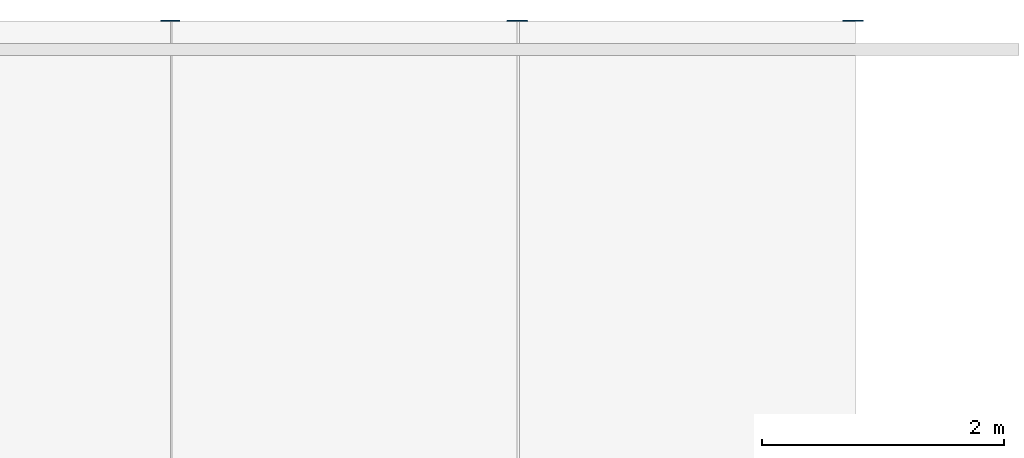
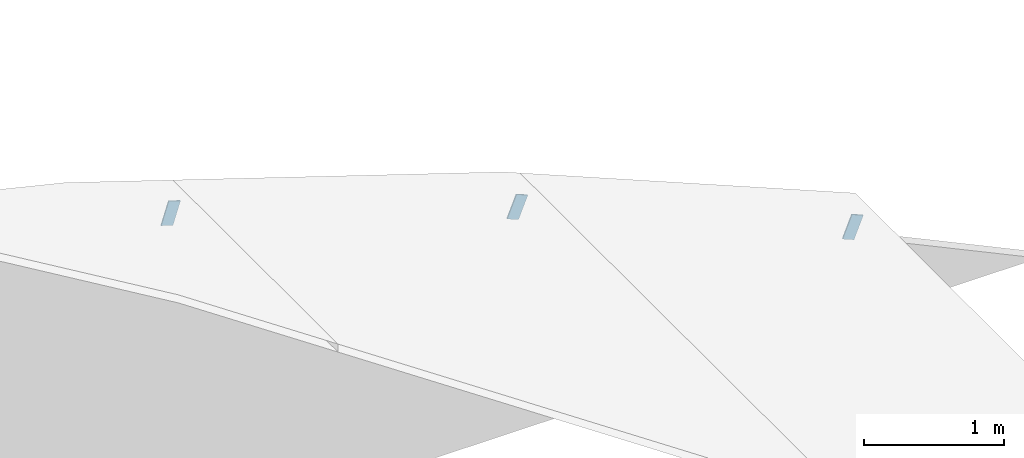
# One storey, part 8 of 17: 3 discrete accessories.
"""IFC4 building model written with IfcOpenShell, lengths in metres."""

from ifc_helpers import new_model, si_unit, direction, frame, origin, origin_2d, place, context, subcontext, project, spatial, rectangle, extrude, material, material_profile, profile_set, type_object, element, save


model = new_model("IFC4")

# Units and contexts
model_context = context("Model", 3, precision=1e-05, world=origin(), true_north=direction((0.0, 1.0)))
body_context = subcontext(model_context, "Body", "Model", "MODEL_VIEW")
ifc_project = project(units=[si_unit("LENGTHUNIT", "METRE"), si_unit("AREAUNIT", "SQUARE_METRE"), si_unit("VOLUMEUNIT", "CUBIC_METRE"), si_unit("PLANEANGLEUNIT", "RADIAN"), si_unit("MASSUNIT", "GRAM", prefix="KILO")], contexts=[model_context])

# Site, building, storey
site_placement = place(None, origin())
site = spatial("IfcSite", under=ifc_project, at=site_placement, CompositionType="ELEMENT")
building_placement = place(site_placement, origin())
building = spatial("IfcBuilding", under=site, at=building_placement, Name="Verrick Yard Athletic Hall", CompositionType="ELEMENT")
storey_placement = place(building_placement, frame((0.0, 0.0, 18.199951171875)))
storey = spatial("IfcBuildingStorey", under=building, at=storey_placement, Name="Roof", CompositionType="ELEMENT", Elevation=18.199951171875)

# Discrete accessories
ifc_material = material(Name="Structural steel 350W (CSA G40.21)", Category="steel")
ifc_material_profile = material_profile(ifc_material, rectangle(XDim=0.1015625, YDim=0.203125, at=origin_2d()), Name="STR End cap plate 203x102x9.5")
ifc_profile_set = profile_set([ifc_material_profile], Name="Structural steel 350W (CSA G40.21)")
discrete_accessory_type = type_object("IfcDiscreteAccessoryType", Name="STR End cap plate 203x102x9.5", PredefinedType="BRACKET", material=ifc_profile_set)
for number, where, z_axis, x_axis, name in (
    (1, (68.885009765625, 108.0, 1.724365234375), (0.0, 1.0, 0.0), (-0.924122791552, 0.0, 0.382095624331), "End cap HB-PU-B-5-15 B"),
    (2, (66.0205078125, 108.0, 2.6728515625), (0.0, 1.0, 0.0), (-0.951213620533, 0.0, 0.308533058379), "End cap HB-PU-B-5-14 B"),
    (3, (71.6572265625, 108.0, 0.578125), (0.0, 1.0, 0.0), (-0.924122791552, 0.0, 0.382095624331), "End cap HB-PU-B-5-16 B"),
):
    element("IfcDiscreteAccessory", number, at=place(storey_placement, frame(where, z_axis=z_axis, x_axis=x_axis)), inside=storey, type_object=discrete_accessory_type, Name=name, PredefinedType="BRACKET", context=body_context, shape_type="SweptSolid", body=[
        extrude(rectangle(XDim=0.1015625, YDim=0.203125, at=origin_2d()), origin(), (0.0, 0.0, 1.0), 0.010009765625),
    ])

save(model, "model.ifc")
